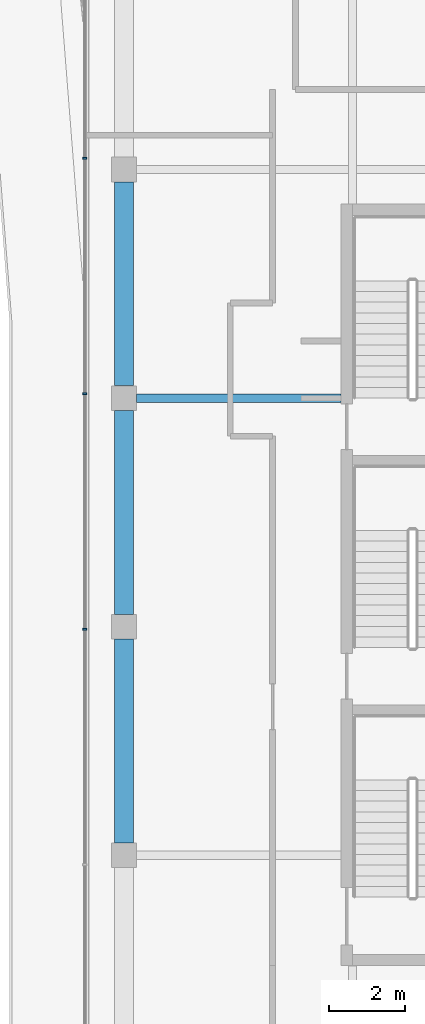
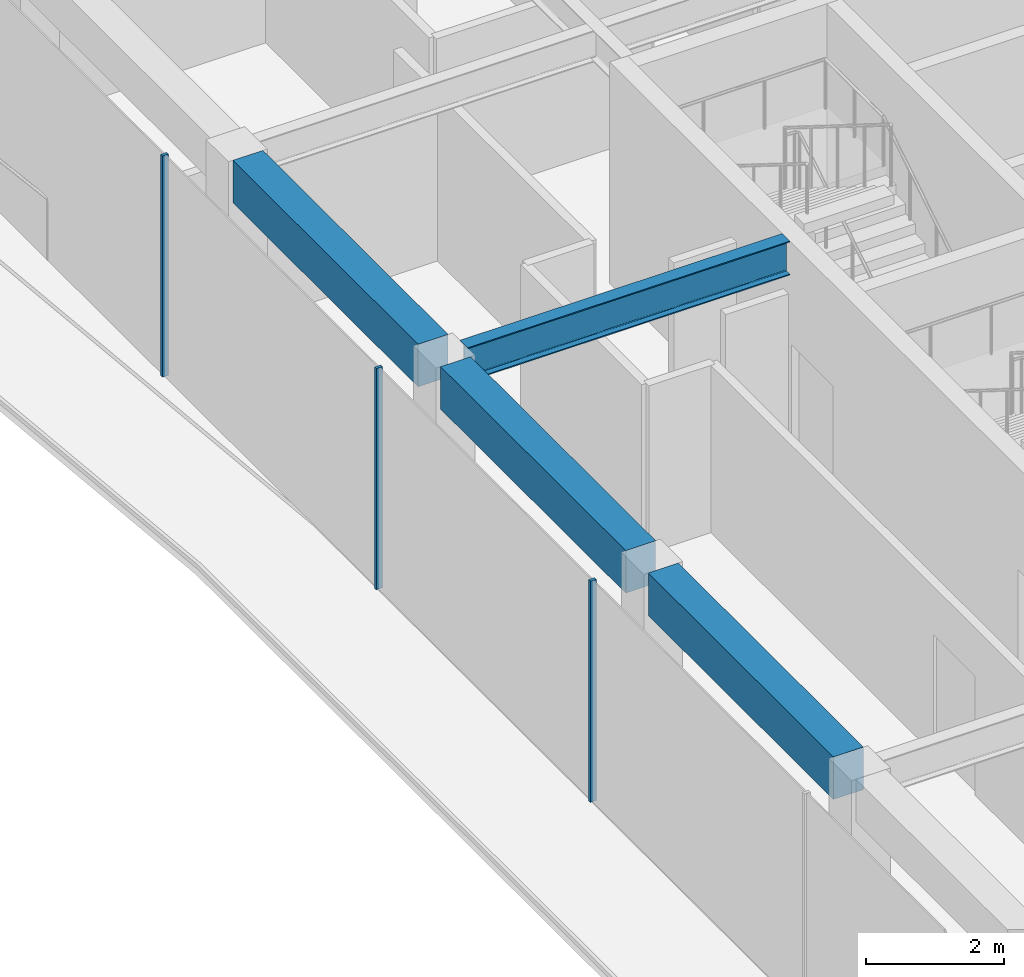
# One storey, part 5 of 20: 4 beams, 3 members, 1 element without a shape of its own.
"""IFC4 building model written with IfcOpenShell, lengths in metres."""

from ifc_helpers import new_model, si_unit, direction, frame, origin, origin_2d, place, context, subcontext, project, spatial, rectangle, i_section, extrude, material, layer, layer_set, material_profile, profile_set, type_object, element, aggregate, save


model = new_model("IFC4")

# Units and contexts
model_context = context("Model", 3, precision=1e-05, world=origin(), true_north=direction((0.0, 1.0)))
body_context = subcontext(model_context, "Body", "Model", "MODEL_VIEW")
ifc_project = project(units=[si_unit("LENGTHUNIT", "METRE"), si_unit("AREAUNIT", "SQUARE_METRE"), si_unit("VOLUMEUNIT", "CUBIC_METRE"), si_unit("PLANEANGLEUNIT", "RADIAN"), si_unit("MASSUNIT", "GRAM", prefix="KILO")], contexts=[model_context])

# Site, building, storey
site_placement = place(None, origin())
site = spatial("IfcSite", under=ifc_project, at=site_placement, CompositionType="ELEMENT")
building_placement = place(site_placement, origin())
building = spatial("IfcBuilding", under=site, at=building_placement, Name="Welwitschia Terrace Campus", CompositionType="ELEMENT")
storey_placement = place(building_placement, frame((0.0, 0.0, 314.60009765625)))
storey = spatial("IfcBuildingStorey", under=building, at=storey_placement, Name="L70", CompositionType="ELEMENT", Elevation=314.60009765625)

# Curtain wall, members
ifc_material_1 = material(Name="Bronze anodised aluminium", Category="aluminium")
ifc_layer = layer(ifc_material_1, 0.10009765625)
ifc_layer_set = layer_set([ifc_layer], Name="Bronze anodised aluminium")
curtain_wall_type = type_object("IfcCurtainWallType", Name="Curtain wall CW5 crown 6000", PredefinedType="NOTDEFINED", material=ifc_layer_set)
curtain_wall_placement = place(storey_placement, origin())
curtain_wall = element("IfcCurtainWall", 1, at=curtain_wall_placement, inside=storey, type_object=curtain_wall_type, Name="CW L70.7.0", PredefinedType="NOTDEFINED")
ifc_material_2 = material(Name="Bronze anodised aluminium", Category="aluminium")
ifc_material_profile_1 = material_profile(ifc_material_2, rectangle(XDim=0.10009765625, YDim=0.050048828125, at=origin_2d()))
ifc_profile_set_1 = profile_set([ifc_material_profile_1], Name="Bronze anodised aluminium")
member_type = type_object("IfcMemberType", Name="Mullion 50x100", PredefinedType="MULLION", material=ifc_profile_set_1)
member_1_placement = place(storey_placement, frame((-1.030029296875, 26.3017578125, 0.0), z_axis=(0.0, 0.0, 1.0), x_axis=(1.0, 0.0, 0.0)))
member_1 = element("IfcMember", 2, at=member_1_placement, type_object=member_type, Name="Mullion L70.7.0.4", PredefinedType="MULLION", context=body_context, shape_type="SweptSolid", body=[
    extrude(rectangle(XDim=0.10009765625, YDim=0.050048828125, at=origin_2d()), origin(), (0.0, 0.0, 1.0), 3.89990234375),
])
member_2_placement = place(storey_placement, frame((-1.030029296875, 20.11962890625, 0.0), z_axis=(0.0, 0.0, 1.0), x_axis=(1.0, 0.0, 0.0)))
member_2 = element("IfcMember", 3, at=member_2_placement, type_object=member_type, Name="Mullion L70.7.0.5", PredefinedType="MULLION", context=body_context, shape_type="SweptSolid", body=[
    extrude(rectangle(XDim=0.10009765625, YDim=0.050048828125, at=origin_2d()), origin(), (0.0, 0.0, 1.0), 3.89990234375),
])
member_3_placement = place(storey_placement, frame((-1.030029296875, 13.9375, 0.0), z_axis=(0.0, 0.0, 1.0), x_axis=(1.0, 0.0, 0.0)))
member_3 = element("IfcMember", 4, at=member_3_placement, type_object=member_type, Name="Mullion L70.7.0.6", PredefinedType="MULLION", context=body_context, shape_type="SweptSolid", body=[
    extrude(rectangle(XDim=0.10009765625, YDim=0.050048828125, at=origin_2d()), origin(), (0.0, 0.0, 1.0), 3.89990234375),
])
aggregate(curtain_wall, [member_1, member_2, member_3])

# Beams
ifc_material_3 = material(Name="Steel S355", Category="steel")
ifc_material_profile_2 = material_profile(ifc_material_3, i_section(OverallWidth=0.219970703125, OverallDepth=0.60009765625, WebThickness=0.011962890625, FlangeThickness=0.01904296875, FilletRadius=0.02392578125, at=origin_2d()))
ifc_profile_set_2 = profile_set([ifc_material_profile_2], Name="Steel S355")
beam_type_1 = type_object("IfcBeamType", Name="Primary beam IPE 600", PredefinedType="BEAM", material=ifc_profile_set_2)
beam_placement = place(storey_placement, frame((0.325439453125, 20.0, 3.599853515625), z_axis=(1.0, 0.0, 0.0), x_axis=(0.0, 1.0, 0.0)))
element("IfcBeam", 5, at=beam_placement, inside=storey, type_object=beam_type_1, Name="Primary beam PB7", PredefinedType="BEAM", context=body_context, shape_type="SweptSolid", body=[
    extrude(i_section(OverallWidth=0.219970703125, OverallDepth=0.60009765625, WebThickness=0.011962890625, FlangeThickness=0.01904296875, FilletRadius=0.02392578125, at=origin_2d()), origin(), (0.0, 0.0, 1.0), 5.37451171875),
])
ifc_material_4 = material(Name="Concrete C40/50", Category="concrete")
ifc_material_profile_3 = material_profile(ifc_material_4, rectangle(XDim=0.5, YDim=0.75, at=origin_2d()))
ifc_profile_set_3 = profile_set([ifc_material_profile_3], Name="Concrete C40/50")
beam_type_2 = type_object("IfcBeamType", Name="Ring spandrel 500x750", PredefinedType="SPANDREL", material=ifc_profile_set_3)
for number, where, z_axis, x_axis, name in (
    (6, (0.0, 25.674560546875, 3.52490234375), (0.0, -1.0, 0.0), (1.0, 0.0, 0.0), "Spandrel SP5"),
    (7, (0.0, 19.674560546875, 3.52490234375), (0.0, -1.0, 0.0), (1.0, 0.0, 0.0), "Spandrel SP5"),
    (8, (0.0, 13.674560546875, 3.52490234375), (0.0, -1.0, 0.0), (1.0, 0.0, 0.0), "Spandrel SP5"),
):
    element("IfcBeam", number, at=place(storey_placement, frame(where, z_axis=z_axis, x_axis=x_axis)), inside=storey, type_object=beam_type_2, Name=name, PredefinedType="SPANDREL", context=body_context, shape_type="SweptSolid", body=[
        extrude(rectangle(XDim=0.5, YDim=0.75, at=origin_2d()), origin(), (0.0, 0.0, 1.0), 5.34912109375),
    ])

save(model, "model.ifc")
